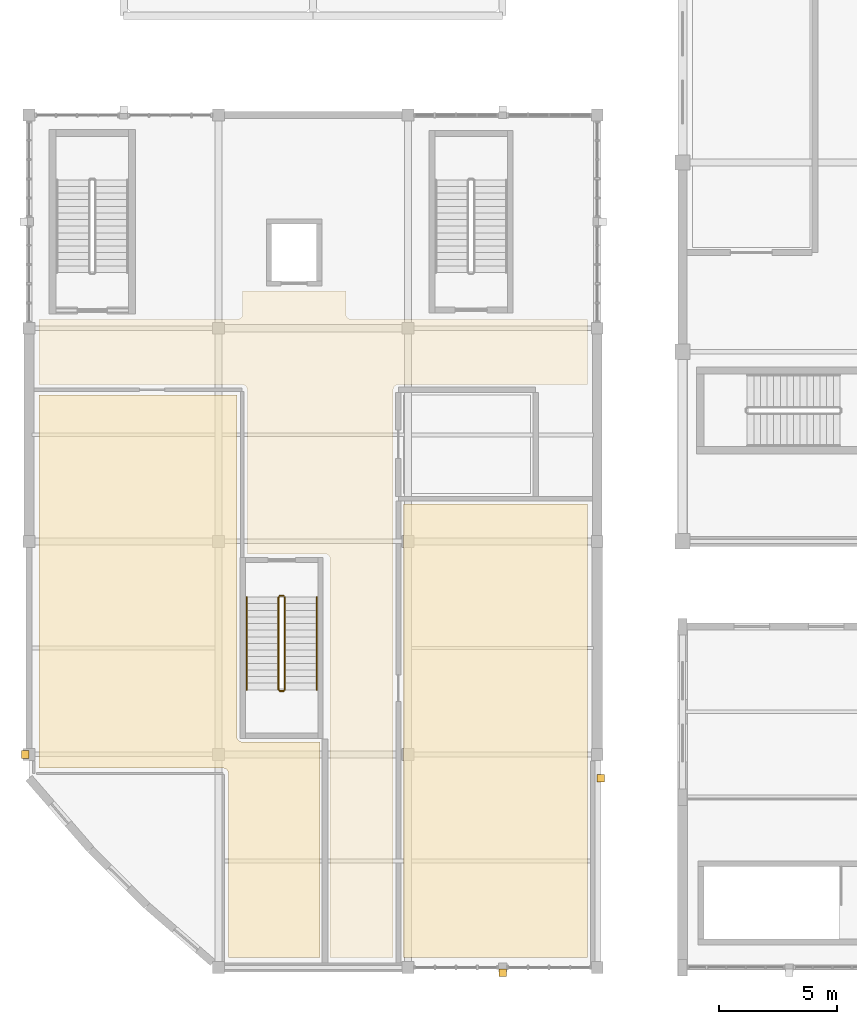
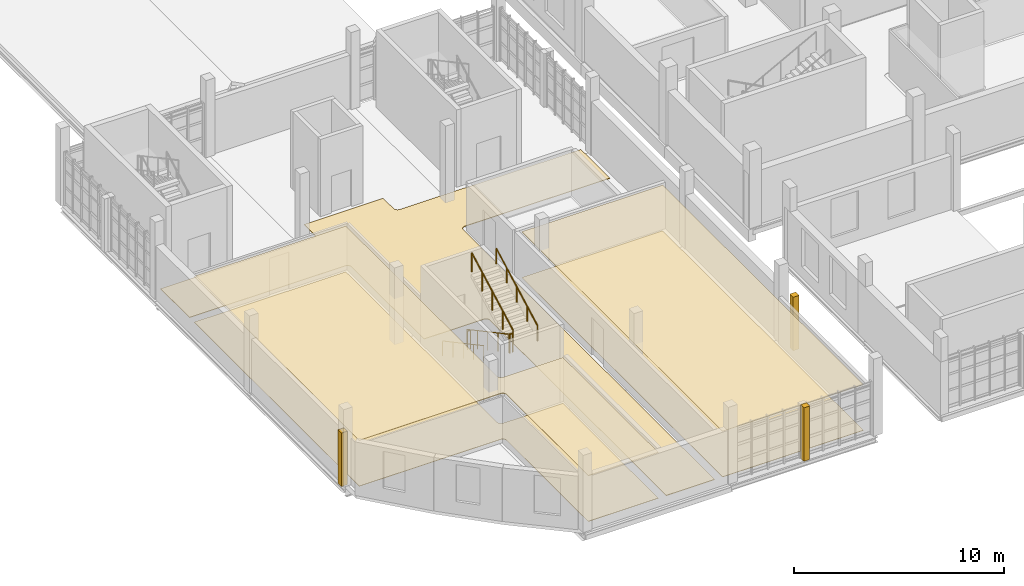
# One storey, part 110 of 125: 8 coverings, 6 railings.
"""IFC4 building model written with IfcOpenShell, lengths in metres."""

from ifc_helpers import new_model, si_unit, direction, frame, origin, origin_2d, place, context, subcontext, project, spatial, polyline, circle, outline, extrude, material, layer, layer_set, type_object, element, save


model = new_model("IFC4")

# Units and contexts
model_context = context("Model", 3, precision=1e-05, world=origin(), true_north=direction((0.0, 1.0)))
body_context = subcontext(model_context, "Body", "Model", "MODEL_VIEW")
ifc_project = project(units=[si_unit("LENGTHUNIT", "METRE"), si_unit("AREAUNIT", "SQUARE_METRE"), si_unit("VOLUMEUNIT", "CUBIC_METRE"), si_unit("PLANEANGLEUNIT", "RADIAN"), si_unit("MASSUNIT", "GRAM", prefix="KILO")], contexts=[model_context])

# Site, building, storey
site_placement = place(None, origin())
site = spatial("IfcSite", under=ifc_project, at=site_placement, CompositionType="ELEMENT")
building_placement = place(site_placement, origin())
building = spatial("IfcBuilding", under=site, at=building_placement, Name="Serraforn Aerial Cableway Station", CompositionType="ELEMENT")
storey_placement = place(building_placement, frame((0.0, 0.0, 4.5)))
storey = spatial("IfcBuildingStorey", under=building, at=storey_placement, Name="L01", CompositionType="ELEMENT", Elevation=4.5)

# Coverings
ifc_material_1 = material(Name="Fluted patinated bronze Art Deco pilaster cladding")
ifc_layer_1 = layer(ifc_material_1, 0.034912109375)
ifc_layer_set_1 = layer_set([ifc_layer_1], Name="Fluted patinated bronze Art Deco pilaster cladding")
covering_type_1 = type_object("IfcCoveringType", Name="COV-CLAD-BRZ", PredefinedType="CLADDING", material=ifc_layer_set_1)
covering_1_placement = place(storey_placement, origin())
element("IfcCovering", 1, at=covering_1_placement, inside=storey, type_object=covering_type_1, Name="Art Deco Bronze Pilaster Cladding W-L01-S3", PredefinedType="CLADDING", context=body_context, shape_type="SweptSolid", body=[
    extrude(outline(polyline([(19.840087890625, -0.3798828125), (20.159912109375, -0.3798828125), (20.159912109375, -0.06005859375), (19.840087890625, -0.06005859375), (19.840087890625, -0.3798828125)])), origin(), (0.0, 0.0, 1.0), 3.1201171875),
])
covering_2_placement = place(storey_placement, origin())
element("IfcCovering", 2, at=covering_2_placement, inside=storey, type_object=covering_type_1, Name="Art Deco Bronze Pilaster Cladding W-L01-W1", PredefinedType="CLADDING", context=body_context, shape_type="SweptSolid", body=[
    extrude(outline(polyline([(-0.31494140625, 8.840087890625), (0.0048828125, 8.840087890625), (0.0048828125, 9.159912109375), (-0.31494140625, 9.159912109375), (-0.31494140625, 8.840087890625)])), origin(), (0.0, 0.0, 1.0), 3.1201171875),
])
covering_3_placement = place(storey_placement, origin())
element("IfcCovering", 3, at=covering_3_placement, inside=storey, type_object=covering_type_1, Name="Art Deco Bronze Pilaster Cladding W-L01-E1", PredefinedType="CLADDING", context=body_context, shape_type="SweptSolid", body=[
    extrude(outline(polyline([(23.9951171875, 7.840087890625), (24.31494140625, 7.840087890625), (24.31494140625, 8.159912109375), (23.9951171875, 8.159912109375), (23.9951171875, 7.840087890625)])), origin(), (0.0, 0.0, 1.0), 3.1201171875),
])
ifc_material_2 = material(Name="Perforated acoustic mineral ceiling")
ifc_layer_2 = layer(ifc_material_2, 0.02490234375)
ifc_layer_set_2 = layer_set([ifc_layer_2], Name="Perforated acoustic mineral ceiling")
covering_type_2 = type_object("IfcCoveringType", Name="COV-CLG-AC", PredefinedType="CEILING", material=ifc_layer_set_2)
covering_4_placement = place(storey_placement, frame((0.0, 0.0, 2.659912109375)))
element("IfcCovering", 4, at=covering_4_placement, inside=storey, type_object=covering_type_2, Name="Suspended Ceiling L01-02", PredefinedType="CEILING", context=body_context, shape_type="SweptSolid", body=[
    extrude(outline(polyline([(15.820068359375, 0.419921875), (15.820068359375, 19.580078125), (23.580078125, 19.580078125), (23.580078125, 0.419921875), (15.820068359375, 0.419921875)])), origin(), (0.0, 0.0, 1.0), 0.025146484375),
])
ifc_material_3 = material(Name="Slatted Catalan chestnut acoustic ceiling")
ifc_layer_3 = layer(ifc_material_3, 0.034912109375)
ifc_layer_set_3 = layer_set([ifc_layer_3], Name="Slatted Catalan chestnut acoustic ceiling")
covering_type_3 = type_object("IfcCoveringType", Name="COV-CLG-WD", PredefinedType="CEILING", material=ifc_layer_set_3)
covering_5_placement = place(storey_placement, frame((0.0, 0.0, 2.659912109375)))
element("IfcCovering", 5, at=covering_5_placement, inside=storey, type_object=covering_type_3, Name="Suspended Ceiling L01-01", PredefinedType="CEILING", context=body_context, shape_type="SweptSolid", body=[
    extrude(outline(polyline([(12.280029296875, 0.419921875), (8.419921875, 0.419921875), (8.419921875, 8.199951171875), (8.4189453125, 8.2216796875), (8.415771484375, 8.242919921875), (8.410400390625, 8.263916015625), (8.4033203125, 8.2841796875), (8.39404296875, 8.3037109375), (8.3828125, 8.322265625), (8.3701171875, 8.339599609375), (8.355712890625, 8.355712890625), (8.339599609375, 8.3701171875), (8.322265625, 8.3828125), (8.3037109375, 8.39404296875), (8.2841796875, 8.4033203125), (8.263916015625, 8.410400390625), (8.242919921875, 8.415771484375), (8.2216796875, 8.4189453125), (8.199951171875, 8.419921875), (0.419921875, 8.419921875), (0.419921875, 24.179931640625), (8.780029296875, 24.179931640625), (8.780029296875, 9.75), (8.781005859375, 9.728515625), (8.7841796875, 9.70703125), (8.78955078125, 9.68603515625), (8.796630859375, 9.665771484375), (8.805908203125, 9.646240234375), (8.817138671875, 9.627685546875), (8.829833984375, 9.6103515625), (8.844482421875, 9.594482421875), (8.8603515625, 9.579833984375), (8.877685546875, 9.567138671875), (8.896240234375, 9.555908203125), (8.915771484375, 9.546630859375), (8.93603515625, 9.53955078125), (8.95703125, 9.5341796875), (8.978515625, 9.531005859375), (9.0, 9.530029296875), (12.280029296875, 9.530029296875), (12.280029296875, 0.419921875)])), origin(), (0.0, 0.0, 1.0), 0.03515625),
])
ifc_material_4 = material(Name="Honed Montjuic limestone flooring", Category="masonry")
ifc_layer_4 = layer(ifc_material_4, 0.030029296875)
ifc_layer_set_4 = layer_set([ifc_layer_4], Name="Honed Montjuic limestone flooring")
covering_type_4 = type_object("IfcCoveringType", Name="COV-FLR-STN", PredefinedType="FLOORING", material=ifc_layer_set_4)
covering_6_placement = place(storey_placement, origin())
element("IfcCovering", 6, at=covering_6_placement, inside=storey, type_object=covering_type_4, Name="Flooring L01-04", PredefinedType="FLOORING", context=body_context, shape_type="SweptSolid", body=[
    extrude(outline(polyline([(12.719970703125, 0.419921875), (12.719970703125, 17.25), (12.718994140625, 17.271484375), (12.7158203125, 17.29296875), (12.71044921875, 17.31396484375), (12.703369140625, 17.334228515625), (12.694091796875, 17.353759765625), (12.682861328125, 17.372314453125), (12.670166015625, 17.3896484375), (12.655517578125, 17.405517578125), (12.6396484375, 17.420166015625), (12.622314453125, 17.432861328125), (12.603759765625, 17.444091796875), (12.584228515625, 17.453369140625), (12.56396484375, 17.46044921875), (12.54296875, 17.4658203125), (12.521484375, 17.468994140625), (12.5, 17.469970703125), (9.219970703125, 17.469970703125), (9.219970703125, 24.39990234375), (9.218994140625, 24.421630859375), (9.2158203125, 24.44287109375), (9.21044921875, 24.4638671875), (9.203369140625, 24.484130859375), (9.194091796875, 24.503662109375), (9.182861328125, 24.522216796875), (9.170166015625, 24.53955078125), (9.155517578125, 24.5556640625), (9.1396484375, 24.570068359375), (9.122314453125, 24.5830078125), (9.103759765625, 24.593994140625), (9.084228515625, 24.603271484375), (9.06396484375, 24.610595703125), (9.04296875, 24.61572265625), (9.021484375, 24.618896484375), (9.0, 24.6201171875), (0.419921875, 24.6201171875), (0.419921875, 27.3798828125), (8.800048828125, 27.3798828125), (8.821533203125, 27.381103515625), (8.843017578125, 27.38427734375), (8.864013671875, 27.389404296875), (8.88427734375, 27.396728515625), (8.90380859375, 27.406005859375), (8.922119140625, 27.4169921875), (8.939697265625, 27.429931640625), (8.95556640625, 27.4443359375), (8.97021484375, 27.46044921875), (8.98291015625, 27.477783203125), (8.993896484375, 27.496337890625), (9.00341796875, 27.515869140625), (9.010498046875, 27.5361328125), (9.015869140625, 27.55712890625), (9.018798828125, 27.578369140625), (9.02001953125, 27.60009765625), (9.02001953125, 28.580078125), (13.3798828125, 28.580078125), (13.3798828125, 27.60009765625), (13.381103515625, 27.578369140625), (13.38427734375, 27.55712890625), (13.389404296875, 27.5361328125), (13.396728515625, 27.515869140625), (13.406005859375, 27.496337890625), (13.4169921875, 27.477783203125), (13.429931640625, 27.46044921875), (13.4443359375, 27.4443359375), (13.46044921875, 27.429931640625), (13.477783203125, 27.4169921875), (13.496337890625, 27.406005859375), (13.515869140625, 27.396728515625), (13.5361328125, 27.389404296875), (13.55712890625, 27.38427734375), (13.578369140625, 27.381103515625), (13.60009765625, 27.3798828125), (23.580078125, 27.3798828125), (23.580078125, 24.6201171875), (15.60009765625, 24.6201171875), (15.578369140625, 24.618896484375), (15.55712890625, 24.61572265625), (15.5361328125, 24.610595703125), (15.515869140625, 24.603271484375), (15.496337890625, 24.593994140625), (15.477783203125, 24.5830078125), (15.46044921875, 24.570068359375), (15.4443359375, 24.5556640625), (15.429931640625, 24.53955078125), (15.4169921875, 24.522216796875), (15.406005859375, 24.503662109375), (15.396728515625, 24.484130859375), (15.389404296875, 24.4638671875), (15.38427734375, 24.44287109375), (15.381103515625, 24.421630859375), (15.3798828125, 24.39990234375), (15.3798828125, 0.419921875), (12.719970703125, 0.419921875)])), origin(), (0.0, 0.0, 1.0), 0.030029296875),
])
ifc_material_5 = material(Name="Catalan oak parquet flooring")
ifc_layer_5 = layer(ifc_material_5, 0.02197265625)
ifc_layer_set_5 = layer_set([ifc_layer_5], Name="Catalan oak parquet flooring")
covering_type_5 = type_object("IfcCoveringType", Name="COV-FLR-WD", PredefinedType="FLOORING", material=ifc_layer_set_5)
covering_7_placement = place(storey_placement, origin())
element("IfcCovering", 7, at=covering_7_placement, inside=storey, type_object=covering_type_5, Name="Flooring L01-01", PredefinedType="FLOORING", context=body_context, shape_type="SweptSolid", body=[
    extrude(outline(polyline([(12.280029296875, 0.419921875), (8.419921875, 0.419921875), (8.419921875, 8.199951171875), (8.4189453125, 8.2216796875), (8.415771484375, 8.242919921875), (8.410400390625, 8.263916015625), (8.4033203125, 8.2841796875), (8.39404296875, 8.3037109375), (8.3828125, 8.322265625), (8.3701171875, 8.339599609375), (8.355712890625, 8.355712890625), (8.339599609375, 8.3701171875), (8.322265625, 8.3828125), (8.3037109375, 8.39404296875), (8.2841796875, 8.4033203125), (8.263916015625, 8.410400390625), (8.242919921875, 8.415771484375), (8.2216796875, 8.4189453125), (8.199951171875, 8.419921875), (0.419921875, 8.419921875), (0.419921875, 24.179931640625), (8.780029296875, 24.179931640625), (8.780029296875, 9.75), (8.781005859375, 9.728515625), (8.7841796875, 9.70703125), (8.78955078125, 9.68603515625), (8.796630859375, 9.665771484375), (8.805908203125, 9.646240234375), (8.817138671875, 9.627685546875), (8.829833984375, 9.6103515625), (8.844482421875, 9.594482421875), (8.8603515625, 9.579833984375), (8.877685546875, 9.567138671875), (8.896240234375, 9.555908203125), (8.915771484375, 9.546630859375), (8.93603515625, 9.53955078125), (8.95703125, 9.5341796875), (8.978515625, 9.531005859375), (9.0, 9.530029296875), (12.280029296875, 9.530029296875), (12.280029296875, 0.419921875)])), origin(), (0.0, 0.0, 1.0), 0.02197265625),
])
covering_8_placement = place(storey_placement, origin())
element("IfcCovering", 8, at=covering_8_placement, inside=storey, type_object=covering_type_5, Name="Flooring L01-02", PredefinedType="FLOORING", context=body_context, shape_type="SweptSolid", body=[
    extrude(outline(polyline([(15.820068359375, 0.419921875), (15.820068359375, 19.580078125), (23.580078125, 19.580078125), (23.580078125, 0.419921875), (15.820068359375, 0.419921875)])), origin(), (0.0, 0.0, 1.0), 0.02197265625),
])

# Railings
ifc_material_6 = material(Name="Patinated bronze stair guardrail")
ifc_layer_6 = layer(ifc_material_6, 0.050048828125)
ifc_layer_set_6 = layer_set([ifc_layer_6], Name="Patinated bronze stair guardrail")
railing_type_1 = type_object("IfcRailingType", Name="RL-STR-GRD", PredefinedType="GUARDRAIL", material=ifc_layer_set_6)
railing_1_placement = place(storey_placement, frame((10.5400390625, 15.64990234375, 0.14990234375)))
element("IfcRailing", 9, at=railing_1_placement, inside=storey, type_object=railing_type_1, Name="L01 ST-12 stair guard 1", PredefinedType="GUARDRAIL", context=body_context, shape_type="SweptSolid", body=[
    extrude(circle(Radius=0.02392578125, at=origin_2d()), frame((0.0, 0.0, 1.076171875), z_axis=(0.0, -0.881466911329, 0.472245787945), x_axis=(1.0, 0.0, 0.0)), (0.0, 0.0, 1.0), 4.447021484375),
    extrude(circle(Radius=0.02099609375, at=origin_2d()), origin(), (0.0, 0.0, 1.0), 1.052001953125),
    extrude(circle(Radius=0.02099609375, at=origin_2d()), frame((0.0, -0.97998046875, 0.52490234375)), (0.0, 0.0, 1.0), 1.052001953125),
    extrude(circle(Radius=0.02099609375, at=origin_2d()), frame((0.0, -1.9599609375, 1.050048828125)), (0.0, 0.0, 1.0), 1.052001953125),
    extrude(circle(Radius=0.02099609375, at=origin_2d()), frame((0.0, -2.93994140625, 1.5751953125)), (0.0, 0.0, 1.0), 1.052001953125),
    extrude(circle(Radius=0.02099609375, at=origin_2d()), frame((0.0, -3.919921875, 2.10009765625)), (0.0, 0.0, 1.0), 1.052001953125),
])
railing_2_placement = place(storey_placement, frame((10.590087890625, 11.679931640625, 2.25)))
element("IfcRailing", 10, at=railing_2_placement, inside=storey, type_object=railing_type_1, Name="L01 ST-12 stair guard 2", PredefinedType="GUARDRAIL", context=body_context, shape_type="SweptSolid", body=[
    extrude(circle(Radius=0.02392578125, at=origin_2d()), frame((0.0, 0.0, 1.076171875), z_axis=(1.0, 0.0, 0.0), x_axis=(0.0, 1.0, 0.0)), (0.0, 0.0, 1.0), 0.159912109375),
    extrude(circle(Radius=0.02099609375, at=origin_2d()), origin(), (0.0, 0.0, 1.0), 1.052001953125),
    extrude(circle(Radius=0.02099609375, at=origin_2d()), frame((0.159912109375, 0.0, 0.0)), (0.0, 0.0, 1.0), 1.052001953125),
])
railing_3_placement = place(storey_placement, frame((10.800048828125, 11.72998046875, 2.39990234375)))
element("IfcRailing", 11, at=railing_3_placement, inside=storey, type_object=railing_type_1, Name="L01 ST-12 stair guard 3", PredefinedType="GUARDRAIL", context=body_context, shape_type="SweptSolid", body=[
    extrude(circle(Radius=0.02392578125, at=origin_2d()), frame((0.0, 0.0, 1.076171875), z_axis=(0.0, 0.881466911329, 0.472245787945), x_axis=(-1.0, 0.0, 0.0)), (0.0, 0.0, 1.0), 4.447021484375),
    extrude(circle(Radius=0.02099609375, at=origin_2d()), origin(), (0.0, 0.0, 1.0), 1.052001953125),
    extrude(circle(Radius=0.02099609375, at=origin_2d()), frame((0.0, 0.97998046875, 0.52490234375)), (0.0, 0.0, 1.0), 1.052001953125),
    extrude(circle(Radius=0.02099609375, at=origin_2d()), frame((0.0, 1.9599609375, 1.050048828125)), (0.0, 0.0, 1.0), 1.052001953125),
    extrude(circle(Radius=0.02099609375, at=origin_2d()), frame((0.0, 2.93994140625, 1.5751953125)), (0.0, 0.0, 1.0), 1.052001953125),
    extrude(circle(Radius=0.02099609375, at=origin_2d()), frame((0.0, 3.919921875, 2.10009765625)), (0.0, 0.0, 1.0), 1.052001953125),
])
railing_4_placement = place(storey_placement, frame((10.590087890625, 15.699951171875, 0.0)))
element("IfcRailing", 12, at=railing_4_placement, inside=storey, type_object=railing_type_1, Name="L01 ST-12 stair guard 4", PredefinedType="GUARDRAIL", context=body_context, shape_type="SweptSolid", body=[
    extrude(circle(Radius=0.02392578125, at=origin_2d()), frame((0.0, 0.0, 1.076171875), z_axis=(1.0, 0.0, 0.0), x_axis=(0.0, 1.0, 0.0)), (0.0, 0.0, 1.0), 0.159912109375),
    extrude(circle(Radius=0.02099609375, at=origin_2d()), origin(), (0.0, 0.0, 1.0), 1.052001953125),
    extrude(circle(Radius=0.02099609375, at=origin_2d()), frame((0.159912109375, 0.0, 0.0)), (0.0, 0.0, 1.0), 1.052001953125),
])
ifc_material_7 = material(Name="Brushed bronze tubular handrail")
ifc_layer_7 = layer(ifc_material_7, 0.048095703125)
ifc_layer_set_7 = layer_set([ifc_layer_7], Name="Brushed bronze tubular handrail")
railing_type_2 = type_object("IfcRailingType", Name="RL-STR-HDR", PredefinedType="HANDRAIL", material=ifc_layer_set_7)
railing_5_placement = place(storey_placement, frame((9.18994140625, 15.64990234375, 0.14990234375)))
element("IfcRailing", 13, at=railing_5_placement, inside=storey, type_object=railing_type_2, Name="L01 ST-12 stair handrail 1", PredefinedType="HANDRAIL", context=body_context, shape_type="SweptSolid", body=[
    extrude(circle(Radius=0.02392578125, at=origin_2d()), frame((0.0, 0.0, 0.8759765625), z_axis=(0.0, -0.881466911329, 0.472245787945), x_axis=(1.0, 0.0, 0.0)), (0.0, 0.0, 1.0), 4.447021484375),
    extrude(circle(Radius=0.02099609375, at=origin_2d()), origin(), (0.0, 0.0, 1.0), 0.851806640625),
    extrude(circle(Radius=0.02099609375, at=origin_2d()), frame((0.0, -0.97998046875, 0.52490234375)), (0.0, 0.0, 1.0), 0.851806640625),
    extrude(circle(Radius=0.02099609375, at=origin_2d()), frame((0.0, -1.9599609375, 1.050048828125)), (0.0, 0.0, 1.0), 0.851806640625),
    extrude(circle(Radius=0.02099609375, at=origin_2d()), frame((0.0, -2.93994140625, 1.5751953125)), (0.0, 0.0, 1.0), 0.851806640625),
    extrude(circle(Radius=0.02099609375, at=origin_2d()), frame((0.0, -3.919921875, 2.10009765625)), (0.0, 0.0, 1.0), 0.851806640625),
])
railing_6_placement = place(storey_placement, frame((12.14990234375, 11.72998046875, 2.39990234375)))
element("IfcRailing", 14, at=railing_6_placement, inside=storey, type_object=railing_type_2, Name="L01 ST-12 stair handrail 2", PredefinedType="HANDRAIL", context=body_context, shape_type="SweptSolid", body=[
    extrude(circle(Radius=0.02392578125, at=origin_2d()), frame((0.0, 0.0, 0.8759765625), z_axis=(0.0, 0.881466911329, 0.472245787945), x_axis=(-1.0, 0.0, 0.0)), (0.0, 0.0, 1.0), 4.447021484375),
    extrude(circle(Radius=0.02099609375, at=origin_2d()), origin(), (0.0, 0.0, 1.0), 0.851806640625),
    extrude(circle(Radius=0.02099609375, at=origin_2d()), frame((0.0, 0.97998046875, 0.52490234375)), (0.0, 0.0, 1.0), 0.851806640625),
    extrude(circle(Radius=0.02099609375, at=origin_2d()), frame((0.0, 1.9599609375, 1.050048828125)), (0.0, 0.0, 1.0), 0.851806640625),
    extrude(circle(Radius=0.02099609375, at=origin_2d()), frame((0.0, 2.93994140625, 1.5751953125)), (0.0, 0.0, 1.0), 0.851806640625),
    extrude(circle(Radius=0.02099609375, at=origin_2d()), frame((0.0, 3.919921875, 2.10009765625)), (0.0, 0.0, 1.0), 0.851806640625),
])

save(model, "model.ifc")
